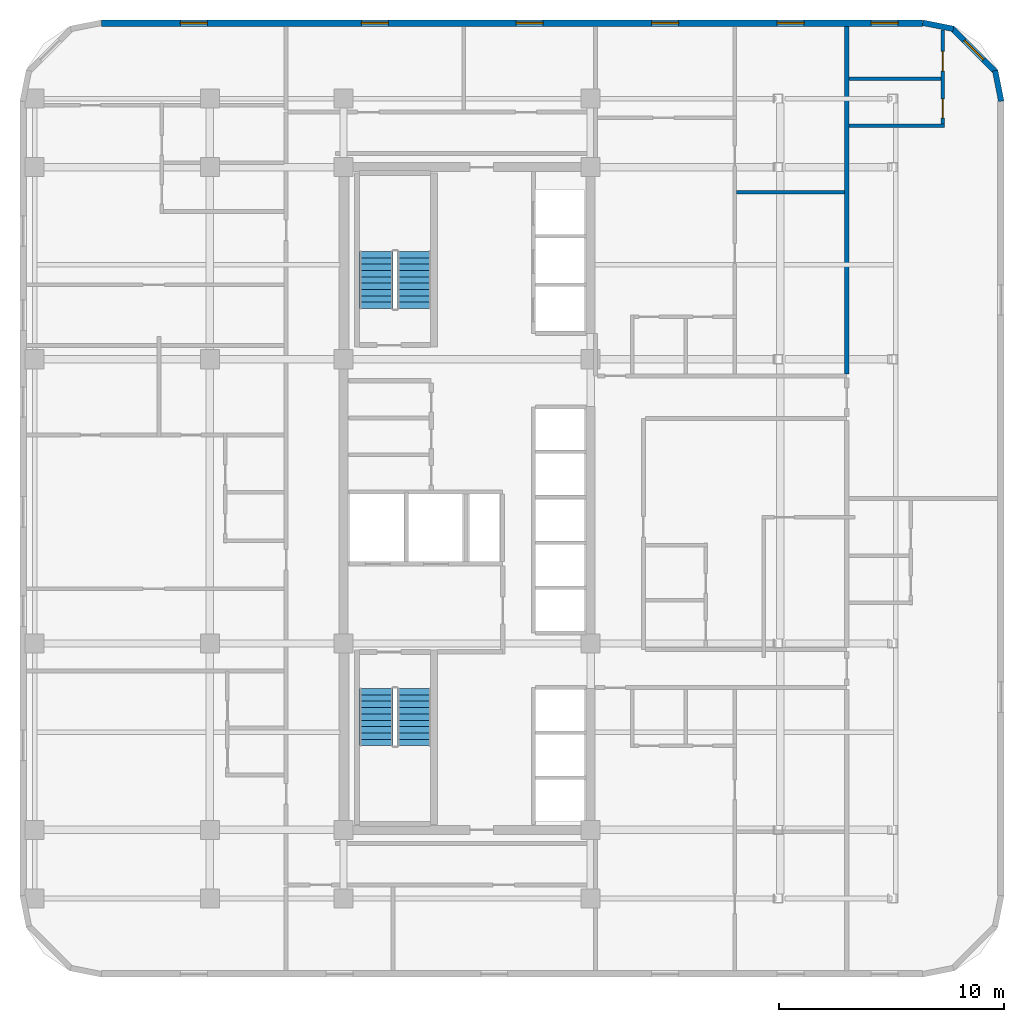
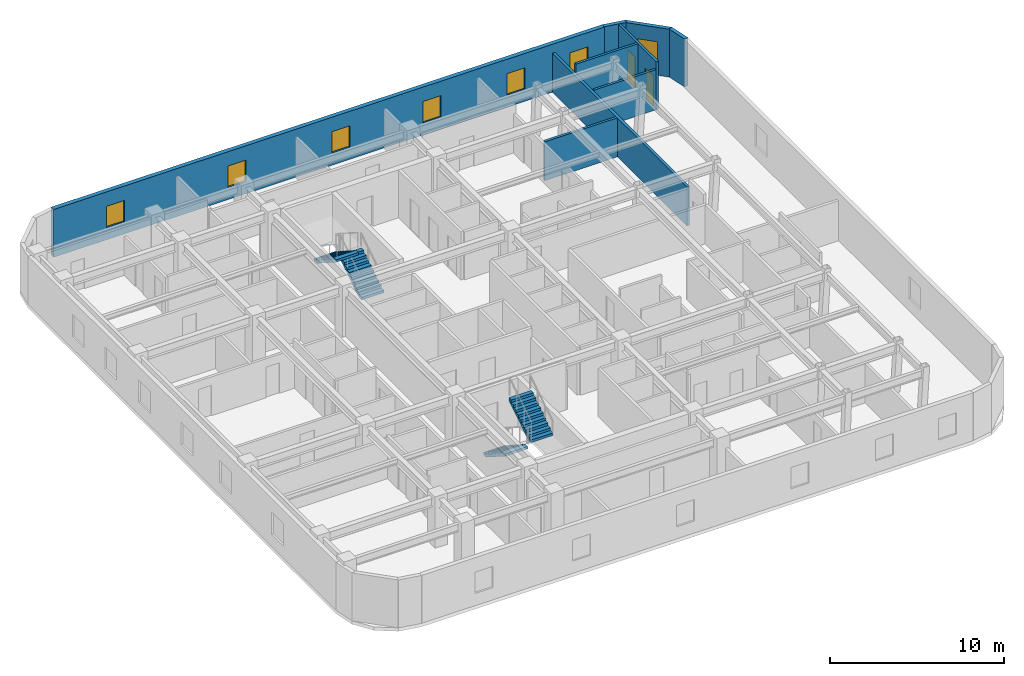
# One storey, part 7 of 8: 9 walls, 7 windows, 4 stair flights, 2 doors, 9 openings, 2 elements without a shape of their own.
"""IFC4 building model written with IfcOpenShell, lengths in metres."""

from ifc_helpers import new_model, si_unit, direction, frame, frame_2d, origin, place, context, subcontext, project, spatial, polyline, rectangle, outline, extrude, material, layer, layer_set, type_object, element, fill, aggregate, save


model = new_model("IFC4")

# Units and contexts
model_context = context("Model", 3, precision=1e-05, world=origin(), true_north=direction((0.0, 1.0)))
body_context = subcontext(model_context, "Body", "Model", "MODEL_VIEW")
ifc_project = project(units=[si_unit("LENGTHUNIT", "METRE"), si_unit("AREAUNIT", "SQUARE_METRE"), si_unit("VOLUMEUNIT", "CUBIC_METRE"), si_unit("PLANEANGLEUNIT", "RADIAN"), si_unit("MASSUNIT", "GRAM", prefix="KILO")], contexts=[model_context])

# Site, building, storey
site_placement = place(None, origin())
site = spatial("IfcSite", under=ifc_project, at=site_placement, CompositionType="ELEMENT")
building_placement = place(site_placement, origin())
building = spatial("IfcBuilding", under=site, at=building_placement, Name="Ochreholt Gables", CompositionType="ELEMENT")
storey_placement = place(building_placement, frame((0.0, 0.0, 102.60009765625)))
storey = spatial("IfcBuildingStorey", under=building, at=storey_placement, Name="L26", CompositionType="ELEMENT", Elevation=102.60009765625)

# Wall, openings, windows
ifc_material_1 = material(Name="Precast concrete 40 MPa", Category="concrete")
ifc_layer_1 = layer(ifc_material_1, 0.280029296875, Name="Precast concrete 40 MPa")
ifc_layer_set_1 = layer_set([ifc_layer_1], Name="Precast concrete 40 MPa")
wall_type_1 = type_object("IfcWallType", Name="WALL-EXT-280", PredefinedType="SOLIDWALL", material=ifc_layer_set_1)
wall_1_placement = place(storey_placement, frame((49.97998046875, 45.159912109375, 0.0), z_axis=(0.0, 0.0, 1.0), x_axis=(-1.0, 0.0, 0.0)))
wall_1 = element("IfcWall", 1, at=wall_1_placement, inside=storey, type_object=wall_type_1, Name="L26 North Exterior Wall", PredefinedType="SOLIDWALL", context=body_context, shape_type="SweptSolid", body=[
    extrude(rectangle(XDim=36.56005859375, YDim=0.280029296875, at=frame_2d((18.280029296875, 0.0))), origin(), (0.0, 0.0, 1.0), 3.35986328125),
])
opening_1_placement = place(wall_1_placement, frame((31.844970703125, 0.0, 0.85009765625)))
opening_1 = element("IfcOpeningElement", 2, at=opening_1_placement, cuts=wall_1, Name="Opening WN-3", PredefinedType="OPENING", context=body_context, shape_type="SweptSolid", body=[
    extrude(rectangle(XDim=1.199951171875, YDim=1.5, at=frame_2d((0.60009765625, 0.75))), frame((0.0, 0.14990234375, 0.0), z_axis=(0.0, -1.0, 0.0), x_axis=(1.0, 0.0, 0.0)), (0.0, 0.0, 1.0), 0.300048828125),
])
opening_2_placement = place(wall_1_placement, frame((23.780029296875, 0.0, 0.85009765625)))
opening_2 = element("IfcOpeningElement", 3, at=opening_2_placement, cuts=wall_1, Name="Opening WN-3", PredefinedType="OPENING", context=body_context, shape_type="SweptSolid", body=[
    extrude(rectangle(XDim=1.199951171875, YDim=1.5, at=frame_2d((0.60009765625, 0.75))), frame((0.0, 0.14990234375, 0.0), z_axis=(0.0, -1.0, 0.0), x_axis=(1.0, 0.0, 0.0)), (0.0, 0.0, 1.0), 0.300048828125),
])
opening_3_placement = place(wall_1_placement, frame((16.89501953125, 0.0, 0.85009765625)))
opening_3 = element("IfcOpeningElement", 4, at=opening_3_placement, cuts=wall_1, Name="Opening WN-3", PredefinedType="OPENING", context=body_context, shape_type="SweptSolid", body=[
    extrude(rectangle(XDim=1.199951171875, YDim=1.5, at=frame_2d((0.60009765625, 0.75))), frame((0.0, 0.14990234375, 0.0), z_axis=(0.0, -1.0, 0.0), x_axis=(1.0, 0.0, 0.0)), (0.0, 0.0, 1.0), 0.300048828125),
])
opening_4_placement = place(wall_1_placement, frame((10.864990234375, 0.0, 0.85009765625)))
opening_4 = element("IfcOpeningElement", 5, at=opening_4_placement, cuts=wall_1, Name="Opening WN-3", PredefinedType="OPENING", context=body_context, shape_type="SweptSolid", body=[
    extrude(rectangle(XDim=1.199951171875, YDim=1.5, at=frame_2d((0.60009765625, 0.75))), frame((0.0, 0.14990234375, 0.0), z_axis=(0.0, -1.0, 0.0), x_axis=(1.0, 0.0, 0.0)), (0.0, 0.0, 1.0), 0.300048828125),
])
opening_5_placement = place(wall_1_placement, frame((5.27490234375, 0.0, 0.85009765625)))
opening_5 = element("IfcOpeningElement", 6, at=opening_5_placement, cuts=wall_1, Name="Opening WN-3", PredefinedType="OPENING", context=body_context, shape_type="SweptSolid", body=[
    extrude(rectangle(XDim=1.199951171875, YDim=1.5, at=frame_2d((0.60009765625, 0.75))), frame((0.0, 0.14990234375, 0.0), z_axis=(0.0, -1.0, 0.0), x_axis=(1.0, 0.0, 0.0)), (0.0, 0.0, 1.0), 0.300048828125),
])
opening_6_placement = place(wall_1_placement, frame((1.090087890625, 0.0, 0.85009765625)))
opening_6 = element("IfcOpeningElement", 7, at=opening_6_placement, cuts=wall_1, Name="Opening WN-3", PredefinedType="OPENING", context=body_context, shape_type="SweptSolid", body=[
    extrude(rectangle(XDim=1.199951171875, YDim=1.5, at=frame_2d((0.60009765625, 0.75))), frame((0.0, 0.14990234375, 0.0), z_axis=(0.0, -1.0, 0.0), x_axis=(1.0, 0.0, 0.0)), (0.0, 0.0, 1.0), 0.300048828125),
])
ifc_material_2 = material(Name="Triple-Glazed Thermally Broken Aluminium Window", Category="aluminium")
window_type = type_object("IfcWindowType", Name="WIN-RES-1200", PartitioningType="SINGLE_PANEL", PredefinedType="WINDOW", material=ifc_material_2)
window_1_placement = place(opening_1_placement, origin())
window_1 = element("IfcWindow", 8, at=window_1_placement, inside=storey, type_object=window_type, Name="L26 Window W-EXT-N-L26-1", OverallHeight=1.5, OverallWidth=1.199951171875, PartitioningType="SINGLE_PANEL", PredefinedType="WINDOW", context=body_context, shape_type="SweptSolid", body=[
    extrude(rectangle(XDim=1.199951171875, YDim=1.5, at=frame_2d((0.60009765625, 0.75))), frame((0.0, 0.030029296875, 0.0), z_axis=(0.0, -1.0, 0.0), x_axis=(1.0, 0.0, 0.0)), (0.0, 0.0, 1.0), 0.06005859375),
])
fill(opening_1, window_1)
window_2_placement = place(opening_2_placement, origin())
window_2 = element("IfcWindow", 9, at=window_2_placement, inside=storey, type_object=window_type, Name="L26 Window W-EXT-N-L26-2", OverallHeight=1.5, OverallWidth=1.199951171875, PartitioningType="SINGLE_PANEL", PredefinedType="WINDOW", context=body_context, shape_type="SweptSolid", body=[
    extrude(rectangle(XDim=1.199951171875, YDim=1.5, at=frame_2d((0.60009765625, 0.75))), frame((0.0, 0.030029296875, 0.0), z_axis=(0.0, -1.0, 0.0), x_axis=(1.0, 0.0, 0.0)), (0.0, 0.0, 1.0), 0.06005859375),
])
fill(opening_2, window_2)
window_3_placement = place(opening_3_placement, origin())
window_3 = element("IfcWindow", 10, at=window_3_placement, inside=storey, type_object=window_type, Name="L26 Window W-EXT-N-L26-3", OverallHeight=1.5, OverallWidth=1.199951171875, PartitioningType="SINGLE_PANEL", PredefinedType="WINDOW", context=body_context, shape_type="SweptSolid", body=[
    extrude(rectangle(XDim=1.199951171875, YDim=1.5, at=frame_2d((0.60009765625, 0.75))), frame((0.0, 0.030029296875, 0.0), z_axis=(0.0, -1.0, 0.0), x_axis=(1.0, 0.0, 0.0)), (0.0, 0.0, 1.0), 0.06005859375),
])
fill(opening_3, window_3)
window_4_placement = place(opening_4_placement, origin())
window_4 = element("IfcWindow", 11, at=window_4_placement, inside=storey, type_object=window_type, Name="L26 Window W-EXT-N-L26-4", OverallHeight=1.5, OverallWidth=1.199951171875, PartitioningType="SINGLE_PANEL", PredefinedType="WINDOW", context=body_context, shape_type="SweptSolid", body=[
    extrude(rectangle(XDim=1.199951171875, YDim=1.5, at=frame_2d((0.60009765625, 0.75))), frame((0.0, 0.030029296875, 0.0), z_axis=(0.0, -1.0, 0.0), x_axis=(1.0, 0.0, 0.0)), (0.0, 0.0, 1.0), 0.06005859375),
])
fill(opening_4, window_4)
window_5_placement = place(opening_5_placement, origin())
window_5 = element("IfcWindow", 12, at=window_5_placement, inside=storey, type_object=window_type, Name="L26 Window W-EXT-N-L26-5", OverallHeight=1.5, OverallWidth=1.199951171875, PartitioningType="SINGLE_PANEL", PredefinedType="WINDOW", context=body_context, shape_type="SweptSolid", body=[
    extrude(rectangle(XDim=1.199951171875, YDim=1.5, at=frame_2d((0.60009765625, 0.75))), frame((0.0, 0.030029296875, 0.0), z_axis=(0.0, -1.0, 0.0), x_axis=(1.0, 0.0, 0.0)), (0.0, 0.0, 1.0), 0.06005859375),
])
fill(opening_5, window_5)
window_6_placement = place(opening_6_placement, origin())
window_6 = element("IfcWindow", 13, at=window_6_placement, inside=storey, type_object=window_type, Name="L26 Window W-EXT-N-L26-6", OverallHeight=1.5, OverallWidth=1.199951171875, PartitioningType="SINGLE_PANEL", PredefinedType="WINDOW", context=body_context, shape_type="SweptSolid", body=[
    extrude(rectangle(XDim=1.199951171875, YDim=1.5, at=frame_2d((0.60009765625, 0.75))), frame((0.0, 0.030029296875, 0.0), z_axis=(0.0, -1.0, 0.0), x_axis=(1.0, 0.0, 0.0)), (0.0, 0.0, 1.0), 0.06005859375),
])
fill(opening_6, window_6)

# Wall
ifc_layer_2 = layer(ifc_material_1, 0.25, Name="Precast concrete 40 MPa")
ifc_layer_set_2 = layer_set([ifc_layer_2], Name="Precast concrete 40 MPa")
wall_type_2 = type_object("IfcWallType", Name="WALL-EXT-CNR", PredefinedType="SOLIDWALL", material=ifc_layer_set_2)
wall_2_placement = place(storey_placement, frame((53.475830078125, 41.68359375, 0.0), z_axis=(0.0, 0.0, 1.0), x_axis=(-0.195000137217, 0.980803214965, 0.0)))
element("IfcWall", 14, at=wall_2_placement, inside=storey, type_object=wall_type_2, Name="L26 Rounded Corner Wall NE-1", PredefinedType="SOLIDWALL", context=body_context, shape_type="SweptSolid", body=[
    extrude(rectangle(XDim=1.388427734375, YDim=0.25, at=frame_2d((0.6943359375, 0.0))), origin(), (0.0, 0.0, 1.0), 3.35986328125),
])

# Wall, opening, window
wall_3_placement = place(storey_placement, frame((53.23193359375, 42.9951171875, 0.0), z_axis=(0.0, 0.0, 1.0), x_axis=(-0.707151344399, 0.707062215165, 0.0)))
wall_3 = element("IfcWall", 15, at=wall_3_placement, inside=storey, type_object=wall_type_2, Name="L26 Rounded Corner Wall NE-2", PredefinedType="SOLIDWALL", context=body_context, shape_type="SweptSolid", body=[
    extrude(rectangle(XDim=2.7392578125, YDim=0.25, at=frame_2d((1.36962890625, 0.0))), origin(), (0.0, 0.0, 1.0), 3.35986328125),
])
opening_7_placement = place(wall_3_placement, frame((0.769775390625, 0.0, 0.85009765625)))
opening_7 = element("IfcOpeningElement", 16, at=opening_7_placement, cuts=wall_3, Name="Opening WN-3", PredefinedType="OPENING", context=body_context, shape_type="SweptSolid", body=[
    extrude(rectangle(XDim=1.199951171875, YDim=1.5, at=frame_2d((0.60009765625, 0.75))), frame((0.0, 0.135009765625, 0.0), z_axis=(0.0, -1.0, 0.0), x_axis=(1.0, 0.0, 0.0)), (0.0, 0.0, 1.0), 0.27001953125),
])
window_7_placement = place(opening_7_placement, origin())
window_7 = element("IfcWindow", 17, at=window_7_placement, inside=storey, type_object=window_type, Name="L26 Corner Bedroom Window NE", OverallHeight=1.5, OverallWidth=1.199951171875, PartitioningType="SINGLE_PANEL", PredefinedType="WINDOW", context=body_context, shape_type="SweptSolid", body=[
    extrude(rectangle(XDim=1.199951171875, YDim=1.5, at=frame_2d((0.60009765625, 0.75))), frame((0.0, 0.030029296875, 0.0), z_axis=(0.0, -1.0, 0.0), x_axis=(1.0, 0.0, 0.0)), (0.0, 0.0, 1.0), 0.06005859375),
])
fill(opening_7, window_7)

# Walls
wall_4_placement = place(storey_placement, frame((51.345458984375, 44.905029296875, 0.0), z_axis=(0.0, 0.0, 1.0), x_axis=(-0.980809899341, 0.19496651342, 0.0)))
element("IfcWall", 18, at=wall_4_placement, inside=storey, type_object=wall_type_2, Name="L26 Rounded Corner Wall NE-3", PredefinedType="SOLIDWALL", context=body_context, shape_type="SweptSolid", body=[
    extrude(rectangle(XDim=1.388671875, YDim=0.25, at=frame_2d((0.6943359375, 0.0))), origin(), (0.0, 0.0, 1.0), 3.35986328125),
])
ifc_material_3 = material(Name="Double-Stud Acoustic Demising Wall", Category="gypsum")
ifc_layer_3 = layer(ifc_material_3, 0.179931640625, Name="Double-Stud Acoustic Demising Wall")
ifc_layer_set_3 = layer_set([ifc_layer_3], Name="Double-Stud Acoustic Demising Wall")
wall_type_3 = type_object("IfcWallType", Name="WALL-INT-DM180", PredefinedType="PARTITIONING", material=ifc_layer_set_3)
wall_5_placement = place(storey_placement, frame((46.60009765625, 29.550048828125, 0.0), z_axis=(0.0, 0.0, 1.0), x_axis=(0.0, 1.0, 0.0)))
element("IfcWall", 19, at=wall_5_placement, inside=storey, type_object=wall_type_3, Name="L26 Interior Wall WI-C2FEW3-L26", PredefinedType="PARTITIONING", context=body_context, shape_type="SweptSolid", body=[
    extrude(rectangle(XDim=15.469970703125, YDim=0.179931640625, at=frame_2d((7.73486328125, 0.0))), origin(), (0.0, 0.0, 1.0), 2.73095703125),
])
ifc_material_4 = material(Name="Moisture-Resistant Plumbing Chase Wall", Category="gypsum")
ifc_layer_4 = layer(ifc_material_4, 0.159912109375, Name="Moisture-Resistant Plumbing Chase Wall")
ifc_layer_set_4 = layer_set([ifc_layer_4], Name="Moisture-Resistant Plumbing Chase Wall")
wall_type_4 = type_object("IfcWallType", Name="WALL-INT-PL160", PredefinedType="PLUMBINGWALL", material=ifc_layer_set_4)
wall_6_placement = place(storey_placement, frame((46.68994140625, 40.60009765625, 0.0), z_axis=(0.0, 0.0, 1.0), x_axis=(1.0, 0.0, 0.0)))
element("IfcWall", 20, at=wall_6_placement, inside=storey, type_object=wall_type_4, Name="L26 Interior Wall WU-L26FEN-WYS", PredefinedType="PLUMBINGWALL", context=body_context, shape_type="SweptSolid", body=[
    extrude(rectangle(XDim=4.271240234375, YDim=0.159912109375, at=frame_2d((2.1357421875, 0.0))), origin(), (0.0, 0.0, 1.0), 2.808837890625),
])

# Wall, openings, doors
wall_7_placement = place(storey_placement, frame((50.881103515625, 40.510009765625, 0.0), z_axis=(0.0, 0.0, 1.0), x_axis=(0.0, 1.0, 0.0)))
wall_7 = element("IfcWall", 21, at=wall_7_placement, inside=storey, type_object=wall_type_4, Name="L26 Interior Wall WU-L26FEN-WX", PredefinedType="PLUMBINGWALL", context=body_context, shape_type="SweptSolid", body=[
    extrude(rectangle(XDim=4.33447265625, YDim=0.159912109375, at=frame_2d((2.167236328125, 0.0))), origin(), (0.0, 0.0, 1.0), 3.35986328125),
])
opening_8_placement = place(wall_7_placement, frame((0.419921875, 0.0, 0.0)))
opening_8 = element("IfcOpeningElement", 22, at=opening_8_placement, cuts=wall_7, Name="Opening D-BT1", PredefinedType="OPENING", context=body_context, shape_type="SweptSolid", body=[
    extrude(rectangle(XDim=0.860107421875, YDim=2.1201171875, at=frame_2d((0.43017578125, 1.06005859375))), frame((0.0, 0.08984375, 0.0), z_axis=(0.0, -1.0, 0.0), x_axis=(1.0, 0.0, 0.0)), (0.0, 0.0, 1.0), 0.179931640625),
])
opening_9_placement = place(wall_7_placement, frame((2.512939453125, 0.0, 0.0)))
opening_9 = element("IfcOpeningElement", 23, at=opening_9_placement, cuts=wall_7, Name="Opening D-GN2", PredefinedType="OPENING", context=body_context, shape_type="SweptSolid", body=[
    extrude(rectangle(XDim=0.8798828125, YDim=2.1201171875, at=frame_2d((0.43994140625, 1.06005859375))), frame((0.0, 0.08984375, 0.0), z_axis=(0.0, -1.0, 0.0), x_axis=(1.0, 0.0, 0.0)), (0.0, 0.0, 1.0), 0.179931640625),
])
ifc_material_5 = material(Name="Engineered Oak Timber", Category="wood")
door_type_1 = type_object("IfcDoorType", Name="DR-INT-BTH860", OperationType="NOTDEFINED", PredefinedType="DOOR", material=ifc_material_5)
door_1_placement = place(opening_8_placement, origin())
door_1 = element("IfcDoor", 24, at=door_1_placement, inside=storey, type_object=door_type_1, Name="L26 Door D-U-L26FEN-BTH", OperationType="SINGLE_SWING_LEFT", OverallHeight=2.1201171875, OverallWidth=0.860107421875, PredefinedType="DOOR", context=body_context, shape_type="SweptSolid", body=[
    extrude(rectangle(XDim=0.860107421875, YDim=2.1201171875, at=frame_2d((0.43017578125, 1.06005859375))), frame((0.0, 0.02490234375, 0.0), z_axis=(0.0, -1.0, 0.0), x_axis=(1.0, 0.0, 0.0)), (0.0, 0.0, 1.0), 0.050048828125),
])
fill(opening_8, door_1)
door_type_2 = type_object("IfcDoorType", Name="DR-INT-GEN880", OperationType="NOTDEFINED", PredefinedType="DOOR", material=ifc_material_5)
door_2_placement = place(opening_9_placement, origin())
door_2 = element("IfcDoor", 25, at=door_2_placement, inside=storey, type_object=door_type_2, Name="L26 Door D-U-L26FEN-KIT", OperationType="SINGLE_SWING_RIGHT", OverallHeight=2.1201171875, OverallWidth=0.8798828125, PredefinedType="DOOR", context=body_context, shape_type="SweptSolid", body=[
    extrude(rectangle(XDim=0.8798828125, YDim=2.1201171875, at=frame_2d((0.43994140625, 1.06005859375))), frame((0.0, 0.02490234375, 0.0), z_axis=(0.0, -1.0, 0.0), x_axis=(1.0, 0.0, 0.0)), (0.0, 0.0, 1.0), 0.050048828125),
])
fill(opening_9, door_2)

# Walls
wall_8_placement = place(storey_placement, frame((46.68994140625, 42.693115234375, 0.0), z_axis=(0.0, 0.0, 1.0), x_axis=(1.0, 0.0, 0.0)))
element("IfcWall", 26, at=wall_8_placement, inside=storey, type_object=wall_type_4, Name="L26 Interior Wall WU-L26FEN-WM", PredefinedType="PLUMBINGWALL", context=body_context, shape_type="SweptSolid", body=[
    extrude(rectangle(XDim=4.111328125, YDim=0.159912109375, at=frame_2d((2.0556640625, 0.0))), origin(), (0.0, 0.0, 1.0), 3.35986328125),
])
ifc_material_6 = material(Name="Gypsum Acoustic Stud Partition", Category="gypsum")
ifc_layer_5 = layer(ifc_material_6, 0.1650390625, Name="Gypsum Acoustic Stud Partition")
ifc_layer_set_5 = layer_set([ifc_layer_5], Name="Gypsum Acoustic Stud Partition")
wall_type_5 = type_object("IfcWallType", Name="WALL-INT-PT165", PredefinedType="PARTITIONING", material=ifc_layer_set_5)
wall_9_placement = place(storey_placement, frame((41.68994140625, 37.6298828125, 0.0), z_axis=(0.0, 0.0, 1.0), x_axis=(1.0, 0.0, 0.0)))
element("IfcWall", 27, at=wall_9_placement, inside=storey, type_object=wall_type_5, Name="L26 Interior Wall WU-L26N1-RDV", PredefinedType="PARTITIONING", context=body_context, shape_type="SweptSolid", body=[
    extrude(rectangle(XDim=4.820068359375, YDim=0.1650390625, at=frame_2d((2.41015625, 0.0))), origin(), (0.0, 0.0, 1.0), 2.73095703125),
])

# Stair, stair flights
ifc_material_7 = material(Name="Concrete 40 MPa", Category="concrete")
stair_type_1 = type_object("IfcStairType", Name="STAIR-CORE-ST-1", PredefinedType="HALF_TURN_STAIR", material=ifc_material_7)
stair_1_placement = place(storey_placement, origin())
stair_1 = element("IfcStair", 28, at=stair_1_placement, inside=storey, type_object=stair_type_1, Name="L26 Core Exit Stair 1", PredefinedType="HALF_TURN_STAIR")
stair_flight_type = type_object("IfcStairFlightType", Name="FLIGHT-ST-1480-1800", PredefinedType="STRAIGHT", material=ifc_material_7)
stair_flight_1_placement = place(storey_placement, frame((25.659912109375, 15.5400390625, 0.0), z_axis=(0.0, 0.0, 1.0), x_axis=(0.0, -1.0, 0.0)))
stair_flight_1 = element("IfcStairFlight", 29, at=stair_flight_1_placement, type_object=stair_flight_type, Name="ST-1 flight 1", NumberOfRisers=10, NumberOfTreads=9, PredefinedType="STRAIGHT", RiserHeight=0.18, TreadLength=0.282, context=body_context, shape_type="SweptSolid", body=[
    extrude(outline(polyline([(0.0, 0.0), (0.0, 0.179931640625), (0.281982421875, 0.179931640625), (0.281982421875, 0.360107421875), (0.56396484375, 0.360107421875), (0.56396484375, 0.5400390625), (0.845947265625, 0.5400390625), (0.845947265625, 0.719970703125), (1.1279296875, 0.719970703125), (1.1279296875, 0.89990234375), (1.409912109375, 0.89990234375), (1.409912109375, 1.080078125), (1.69189453125, 1.080078125), (1.69189453125, 1.260009765625), (1.97412109375, 1.260009765625), (1.97412109375, 1.43994140625), (2.256103515625, 1.43994140625), (2.256103515625, 1.6201171875), (2.5380859375, 1.6201171875), (2.5380859375, 1.800048828125), (2.5380859375, 1.442138671875), (0.278564453125, 0.0), (0.0, 0.0)])), frame((0.0, 0.739990234375, 0.0), z_axis=(0.0, -1.0, 0.0), x_axis=(1.0, 0.0, 0.0)), (0.0, 0.0, 1.0), 1.47998046875),
])
stair_flight_2_placement = place(storey_placement, frame((27.340087890625, 13.001953125, 1.7998046875), z_axis=(0.0, 0.0, 1.0), x_axis=(0.0, 1.0, 0.0)))
stair_flight_2 = element("IfcStairFlight", 30, at=stair_flight_2_placement, type_object=stair_flight_type, Name="ST-1 flight 2", NumberOfRisers=10, NumberOfTreads=9, PredefinedType="STRAIGHT", RiserHeight=0.18, TreadLength=0.282, context=body_context, shape_type="SweptSolid", body=[
    extrude(outline(polyline([(0.0, 0.0), (0.0, 0.179931640625), (0.281982421875, 0.179931640625), (0.281982421875, 0.360107421875), (0.56396484375, 0.360107421875), (0.56396484375, 0.5400390625), (0.845947265625, 0.5400390625), (0.845947265625, 0.719970703125), (1.1279296875, 0.719970703125), (1.1279296875, 0.89990234375), (1.409912109375, 0.89990234375), (1.409912109375, 1.080078125), (1.69189453125, 1.080078125), (1.69189453125, 1.260009765625), (1.97412109375, 1.260009765625), (1.97412109375, 1.43994140625), (2.256103515625, 1.43994140625), (2.256103515625, 1.6201171875), (2.5380859375, 1.6201171875), (2.5380859375, 1.800048828125), (2.5380859375, 1.442138671875), (0.278564453125, 0.0), (0.0, 0.0)])), frame((0.0, 0.739990234375, 0.0), z_axis=(0.0, -1.0, 0.0), x_axis=(1.0, 0.0, 0.0)), (0.0, 0.0, 1.0), 1.47998046875),
])
aggregate(stair_1, [stair_flight_1, stair_flight_2])

stair_type_2 = type_object("IfcStairType", Name="STAIR-CORE-ST-2", PredefinedType="HALF_TURN_STAIR", material=ifc_material_7)
stair_2_placement = place(storey_placement, origin())
stair_2 = element("IfcStair", 31, at=stair_2_placement, inside=storey, type_object=stair_type_2, Name="L26 Core Exit Stair 2", PredefinedType="HALF_TURN_STAIR")
stair_flight_3_placement = place(storey_placement, frame((27.340087890625, 32.4599609375, 0.0), z_axis=(0.0, 0.0, 1.0), x_axis=(0.0, 1.0, 0.0)))
stair_flight_3 = element("IfcStairFlight", 32, at=stair_flight_3_placement, type_object=stair_flight_type, Name="ST-2 flight 1", NumberOfRisers=10, NumberOfTreads=9, PredefinedType="STRAIGHT", RiserHeight=0.18, TreadLength=0.282, context=body_context, shape_type="SweptSolid", body=[
    extrude(outline(polyline([(0.0, 0.0), (0.0, 0.179931640625), (0.281982421875, 0.179931640625), (0.281982421875, 0.360107421875), (0.56396484375, 0.360107421875), (0.56396484375, 0.5400390625), (0.845947265625, 0.5400390625), (0.845947265625, 0.719970703125), (1.1279296875, 0.719970703125), (1.1279296875, 0.89990234375), (1.409912109375, 0.89990234375), (1.409912109375, 1.080078125), (1.69189453125, 1.080078125), (1.69189453125, 1.260009765625), (1.97412109375, 1.260009765625), (1.97412109375, 1.43994140625), (2.256103515625, 1.43994140625), (2.256103515625, 1.6201171875), (2.5380859375, 1.6201171875), (2.5380859375, 1.800048828125), (2.5380859375, 1.442138671875), (0.278564453125, 0.0), (0.0, 0.0)])), frame((0.0, 0.739990234375, 0.0), z_axis=(0.0, -1.0, 0.0), x_axis=(1.0, 0.0, 0.0)), (0.0, 0.0, 1.0), 1.47998046875),
])
stair_flight_4_placement = place(storey_placement, frame((25.659912109375, 34.998046875, 1.7998046875), z_axis=(0.0, 0.0, 1.0), x_axis=(0.0, -1.0, 0.0)))
stair_flight_4 = element("IfcStairFlight", 33, at=stair_flight_4_placement, type_object=stair_flight_type, Name="ST-2 flight 2", NumberOfRisers=10, NumberOfTreads=9, PredefinedType="STRAIGHT", RiserHeight=0.18, TreadLength=0.282, context=body_context, shape_type="SweptSolid", body=[
    extrude(outline(polyline([(0.0, 0.0), (0.0, 0.179931640625), (0.281982421875, 0.179931640625), (0.281982421875, 0.360107421875), (0.56396484375, 0.360107421875), (0.56396484375, 0.5400390625), (0.845947265625, 0.5400390625), (0.845947265625, 0.719970703125), (1.1279296875, 0.719970703125), (1.1279296875, 0.89990234375), (1.409912109375, 0.89990234375), (1.409912109375, 1.080078125), (1.69189453125, 1.080078125), (1.69189453125, 1.260009765625), (1.97412109375, 1.260009765625), (1.97412109375, 1.43994140625), (2.256103515625, 1.43994140625), (2.256103515625, 1.6201171875), (2.5380859375, 1.6201171875), (2.5380859375, 1.800048828125), (2.5380859375, 1.442138671875), (0.278564453125, 0.0), (0.0, 0.0)])), frame((0.0, 0.739990234375, 0.0), z_axis=(0.0, -1.0, 0.0), x_axis=(1.0, 0.0, 0.0)), (0.0, 0.0, 1.0), 1.47998046875),
])
aggregate(stair_2, [stair_flight_3, stair_flight_4])

save(model, "model.ifc")
